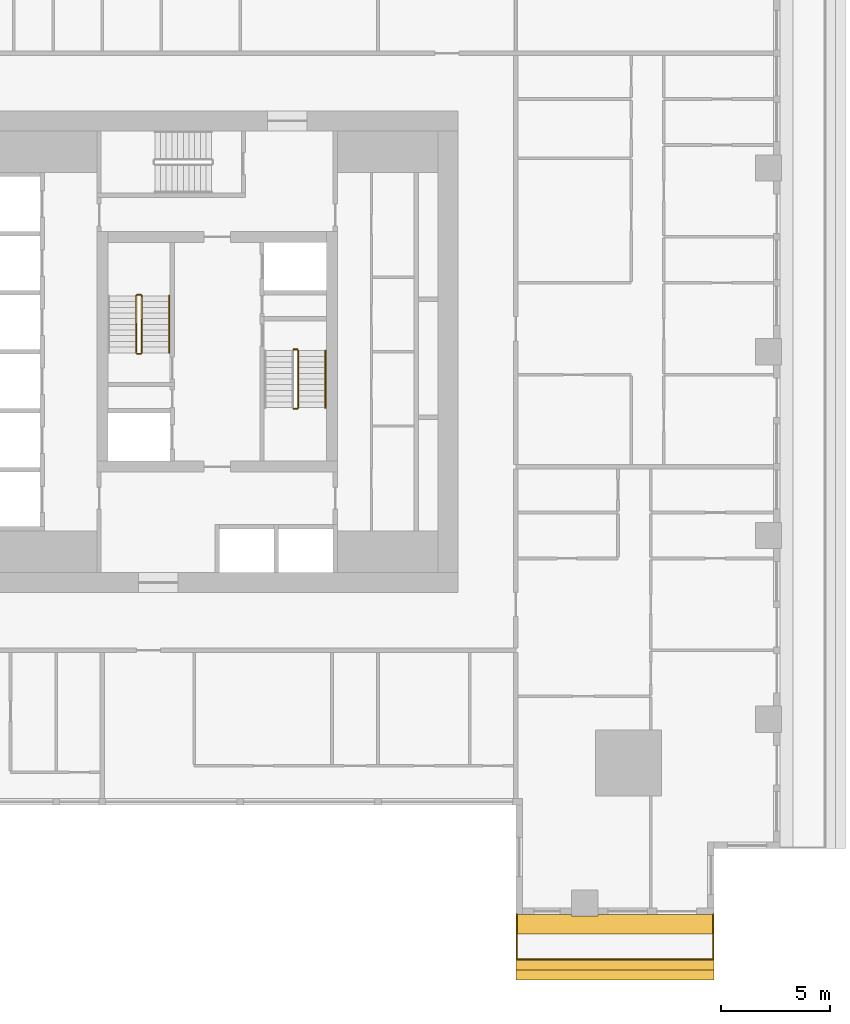
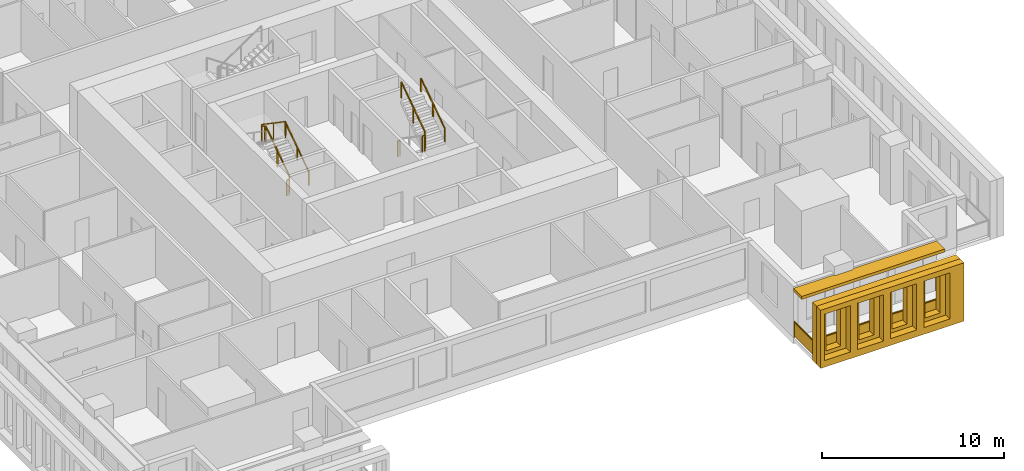
# One storey, part 11 of 14: 10 railings, 3 shading devices.
"""IFC4 building model written with IfcOpenShell, lengths in metres."""

from ifc_helpers import new_model, si_unit, direction, frame, origin, origin_2d, place, context, subcontext, project, spatial, polyline, rectangle, outline, extrude, material, layer, layer_set, type_object, element, save


model = new_model("IFC4")

# Units and contexts
model_context = context("Model", 3, precision=1e-05, world=origin(), true_north=direction((0.0, 1.0)))
body_context = subcontext(model_context, "Body", "Model", "MODEL_VIEW")
ifc_project = project(units=[si_unit("LENGTHUNIT", "METRE"), si_unit("AREAUNIT", "SQUARE_METRE"), si_unit("VOLUMEUNIT", "CUBIC_METRE"), si_unit("PLANEANGLEUNIT", "RADIAN"), si_unit("MASSUNIT", "GRAM", prefix="KILO")], contexts=[model_context])

# Site, building, storey
site_placement = place(None, origin())
site = spatial("IfcSite", under=ifc_project, at=site_placement, CompositionType="ELEMENT")
building_placement = place(site_placement, origin())
building = spatial("IfcBuilding", under=site, at=building_placement, Name="Khepri Terraces", CompositionType="ELEMENT")
storey_placement = place(building_placement, frame((0.0, 0.0, 69.89990234375)))
storey = spatial("IfcBuildingStorey", under=building, at=storey_placement, Name="L16", CompositionType="ELEMENT", Elevation=69.89990234375)

# Railings
ifc_material_1 = material(Name="Stainless steel grade 316", Category="steel")
railing_type_1 = type_object("IfcRailingType", Name="GRD-BAL-1100", PredefinedType="GUARDRAIL", material=ifc_material_1)
railing_1_placement = place(storey_placement, frame((13.699951171875, -25.719970703125, 0.0)))
element("IfcRailing", 1, at=railing_1_placement, inside=storey, type_object=railing_type_1, Name="Balcony guard L16 S", PredefinedType="GUARDRAIL", context=body_context, shape_type="SweptSolid", body=[
    extrude(rectangle(XDim=0.050048828125, YDim=0.06005859375, at=origin_2d()), frame((0.0, 0.0, 1.070068359375), z_axis=(0.0, -1.0, 0.0), x_axis=(1.0, 0.0, 0.0)), (0.0, 0.0, 1.0), 2.050048828125),
    extrude(rectangle(XDim=2.0, YDim=0.011962890625, at=origin_2d()), frame((0.0, -1.02490234375, 0.10009765625), z_axis=(0.0, 0.0, 1.0), x_axis=(0.0, -1.0, 0.0)), (0.0, 0.0, 1.0), 0.93994140625),
    extrude(rectangle(XDim=0.050048828125, YDim=0.06005859375, at=origin_2d()), frame((0.0, -2.050048828125, 1.070068359375), z_axis=(1.0, 0.0, 0.0), x_axis=(0.0, 1.0, 0.0)), (0.0, 0.0, 1.0), 8.969970703125),
    extrude(rectangle(XDim=2.1923828125, YDim=0.011962890625, at=origin_2d()), frame((1.121337890625, -2.050048828125, 0.10009765625), z_axis=(0.0, 0.0, 1.0), x_axis=(1.0, 0.0, 0.0)), (0.0, 0.0, 1.0), 0.93994140625),
    extrude(rectangle(XDim=2.1923828125, YDim=0.011962890625, at=origin_2d()), frame((3.36376953125, -2.050048828125, 0.10009765625), z_axis=(0.0, 0.0, 1.0), x_axis=(1.0, 0.0, 0.0)), (0.0, 0.0, 1.0), 0.93994140625),
    extrude(rectangle(XDim=2.1923828125, YDim=0.011962890625, at=origin_2d()), frame((5.606201171875, -2.050048828125, 0.10009765625), z_axis=(0.0, 0.0, 1.0), x_axis=(1.0, 0.0, 0.0)), (0.0, 0.0, 1.0), 0.93994140625),
    extrude(rectangle(XDim=2.1923828125, YDim=0.011962890625, at=origin_2d()), frame((7.8486328125, -2.050048828125, 0.10009765625), z_axis=(0.0, 0.0, 1.0), x_axis=(1.0, 0.0, 0.0)), (0.0, 0.0, 1.0), 0.93994140625),
    extrude(rectangle(XDim=0.050048828125, YDim=0.06005859375, at=origin_2d()), frame((8.969970703125, -2.050048828125, 1.070068359375), z_axis=(0.0, 1.0, 0.0), x_axis=(-1.0, 0.0, 0.0)), (0.0, 0.0, 1.0), 2.050048828125),
    extrude(rectangle(XDim=2.0, YDim=0.011962890625, at=origin_2d()), frame((8.969970703125, -1.02490234375, 0.10009765625), z_axis=(0.0, 0.0, 1.0), x_axis=(0.0, 1.0, 0.0)), (0.0, 0.0, 1.0), 0.93994140625),
    extrude(rectangle(XDim=0.050048828125, YDim=0.050048828125, at=origin_2d()), origin(), (0.0, 0.0, 1.0), 1.0400390625),
    extrude(rectangle(XDim=0.050048828125, YDim=0.050048828125, at=origin_2d()), frame((0.0, -2.050048828125, 0.0)), (0.0, 0.0, 1.0), 1.0400390625),
    extrude(rectangle(XDim=0.050048828125, YDim=0.050048828125, at=origin_2d()), frame((2.242431640625, -2.050048828125, 0.0)), (0.0, 0.0, 1.0), 1.0400390625),
    extrude(rectangle(XDim=0.050048828125, YDim=0.050048828125, at=origin_2d()), frame((4.48486328125, -2.050048828125, 0.0)), (0.0, 0.0, 1.0), 1.0400390625),
    extrude(rectangle(XDim=0.050048828125, YDim=0.050048828125, at=origin_2d()), frame((6.7275390625, -2.050048828125, 0.0)), (0.0, 0.0, 1.0), 1.0400390625),
    extrude(rectangle(XDim=0.050048828125, YDim=0.050048828125, at=origin_2d()), frame((8.969970703125, -2.050048828125, 0.0)), (0.0, 0.0, 1.0), 1.0400390625),
    extrude(rectangle(XDim=0.050048828125, YDim=0.050048828125, at=origin_2d()), frame((8.969970703125, 0.0, 0.0)), (0.0, 0.0, 1.0), 1.0400390625),
])
ifc_material_2 = material(Name="Stainless steel 316", Category="steel")
railing_type_2 = type_object("IfcRailingType", Name="RL-CORE-GUARD", PredefinedType="GUARDRAIL", material=ifc_material_2)
railing_2_placement = place(storey_placement, frame((-3.449951171875, -0.050048828125, 0.177490234375)))
element("IfcRailing", 2, at=railing_2_placement, inside=storey, type_object=railing_type_2, Name="L16 ST-1 stair guard 1", PredefinedType="GUARDRAIL", context=body_context, shape_type="SweptSolid", body=[
    extrude(rectangle(XDim=0.050048828125, YDim=0.06005859375, at=origin_2d()), frame((0.0, 0.0, 1.070068359375), z_axis=(0.0, 0.826240473404, 0.563317565952), x_axis=(-1.0, 0.0, 0.0)), (0.0, 0.0, 1.0), 3.14697265625),
    extrude(rectangle(XDim=0.050048828125, YDim=0.050048828125, at=origin_2d()), origin(), (0.0, 0.0, 1.0), 1.0400390625),
    extrude(rectangle(XDim=0.050048828125, YDim=0.050048828125, at=origin_2d()), frame((0.0, 1.300048828125, 0.88623046875)), (0.0, 0.0, 1.0), 1.0400390625),
    extrude(rectangle(XDim=0.050048828125, YDim=0.050048828125, at=origin_2d()), frame((0.0, 2.60009765625, 1.772705078125)), (0.0, 0.0, 1.0), 1.0400390625),
])
railing_3_placement = place(storey_placement, frame((-3.5, 2.60009765625, 1.9501953125)))
element("IfcRailing", 3, at=railing_3_placement, inside=storey, type_object=railing_type_2, Name="L16 ST-1 stair guard 2", PredefinedType="GUARDRAIL", context=body_context, shape_type="SweptSolid", body=[
    extrude(rectangle(XDim=0.050048828125, YDim=0.06005859375, at=origin_2d()), frame((0.0, 0.0, 1.070068359375), z_axis=(-1.0, 0.0, 0.0), x_axis=(0.0, -1.0, 0.0)), (0.0, 0.0, 1.0), 0.14990234375),
    extrude(rectangle(XDim=0.050048828125, YDim=0.050048828125, at=origin_2d()), origin(), (0.0, 0.0, 1.0), 1.0400390625),
    extrude(rectangle(XDim=0.050048828125, YDim=0.050048828125, at=origin_2d()), frame((-0.14990234375, 0.0, 0.0)), (0.0, 0.0, 1.0), 1.0400390625),
])
railing_4_placement = place(storey_placement, frame((-3.699951171875, 2.550048828125, 2.12744140625)))
element("IfcRailing", 4, at=railing_4_placement, inside=storey, type_object=railing_type_2, Name="L16 ST-1 stair guard 3", PredefinedType="GUARDRAIL", context=body_context, shape_type="SweptSolid", body=[
    extrude(rectangle(XDim=0.050048828125, YDim=0.06005859375, at=origin_2d()), frame((0.0, 0.0, 1.070068359375), z_axis=(0.0, -0.826240473404, 0.563317565952), x_axis=(1.0, 0.0, 0.0)), (0.0, 0.0, 1.0), 3.14697265625),
    extrude(rectangle(XDim=0.050048828125, YDim=0.050048828125, at=origin_2d()), origin(), (0.0, 0.0, 1.0), 1.0400390625),
    extrude(rectangle(XDim=0.050048828125, YDim=0.050048828125, at=origin_2d()), frame((0.0, -1.300048828125, 0.88623046875)), (0.0, 0.0, 1.0), 1.0400390625),
    extrude(rectangle(XDim=0.050048828125, YDim=0.050048828125, at=origin_2d()), frame((0.0, -2.60009765625, 1.772705078125)), (0.0, 0.0, 1.0), 1.0400390625),
])
railing_5_placement = place(storey_placement, frame((-3.5, -0.10009765625, 0.0)))
element("IfcRailing", 5, at=railing_5_placement, inside=storey, type_object=railing_type_2, Name="L16 ST-1 stair guard 4", PredefinedType="GUARDRAIL", context=body_context, shape_type="SweptSolid", body=[
    extrude(rectangle(XDim=0.050048828125, YDim=0.06005859375, at=origin_2d()), frame((0.0, 0.0, 1.070068359375), z_axis=(-1.0, 0.0, 0.0), x_axis=(0.0, -1.0, 0.0)), (0.0, 0.0, 1.0), 0.14990234375),
    extrude(rectangle(XDim=0.050048828125, YDim=0.050048828125, at=origin_2d()), origin(), (0.0, 0.0, 1.0), 1.0400390625),
    extrude(rectangle(XDim=0.050048828125, YDim=0.050048828125, at=origin_2d()), frame((-0.14990234375, 0.0, 0.0)), (0.0, 0.0, 1.0), 1.0400390625),
])
railing_6_placement = place(storey_placement, frame((3.5, -2.60009765625, 1.9501953125)))
element("IfcRailing", 6, at=railing_6_placement, inside=storey, type_object=railing_type_2, Name="L16 ST-2 stair guard 2", PredefinedType="GUARDRAIL", context=body_context, shape_type="SweptSolid", body=[
    extrude(rectangle(XDim=0.050048828125, YDim=0.06005859375, at=origin_2d()), frame((0.0, 0.0, 1.070068359375), z_axis=(1.0, 0.0, 0.0), x_axis=(0.0, 1.0, 0.0)), (0.0, 0.0, 1.0), 0.14990234375),
    extrude(rectangle(XDim=0.050048828125, YDim=0.050048828125, at=origin_2d()), origin(), (0.0, 0.0, 1.0), 1.0400390625),
    extrude(rectangle(XDim=0.050048828125, YDim=0.050048828125, at=origin_2d()), frame((0.14990234375, 0.0, 0.0)), (0.0, 0.0, 1.0), 1.0400390625),
])
railing_7_placement = place(storey_placement, frame((3.699951171875, -2.550048828125, 2.12744140625)))
element("IfcRailing", 7, at=railing_7_placement, inside=storey, type_object=railing_type_2, Name="L16 ST-2 stair guard 3", PredefinedType="GUARDRAIL", context=body_context, shape_type="SweptSolid", body=[
    extrude(rectangle(XDim=0.050048828125, YDim=0.06005859375, at=origin_2d()), frame((0.0, 0.0, 1.070068359375), z_axis=(0.0, 0.826240473404, 0.563317565952), x_axis=(-1.0, 0.0, 0.0)), (0.0, 0.0, 1.0), 3.14697265625),
    extrude(rectangle(XDim=0.050048828125, YDim=0.050048828125, at=origin_2d()), origin(), (0.0, 0.0, 1.0), 1.0400390625),
    extrude(rectangle(XDim=0.050048828125, YDim=0.050048828125, at=origin_2d()), frame((0.0, 1.300048828125, 0.88623046875)), (0.0, 0.0, 1.0), 1.0400390625),
    extrude(rectangle(XDim=0.050048828125, YDim=0.050048828125, at=origin_2d()), frame((0.0, 2.60009765625, 1.772705078125)), (0.0, 0.0, 1.0), 1.0400390625),
])
railing_8_placement = place(storey_placement, frame((3.5, 0.10009765625, 0.0)))
element("IfcRailing", 8, at=railing_8_placement, inside=storey, type_object=railing_type_2, Name="L16 ST-2 stair guard 4", PredefinedType="GUARDRAIL", context=body_context, shape_type="SweptSolid", body=[
    extrude(rectangle(XDim=0.050048828125, YDim=0.06005859375, at=origin_2d()), frame((0.0, 0.0, 1.070068359375), z_axis=(1.0, 0.0, 0.0), x_axis=(0.0, 1.0, 0.0)), (0.0, 0.0, 1.0), 0.14990234375),
    extrude(rectangle(XDim=0.050048828125, YDim=0.050048828125, at=origin_2d()), origin(), (0.0, 0.0, 1.0), 1.0400390625),
    extrude(rectangle(XDim=0.050048828125, YDim=0.050048828125, at=origin_2d()), frame((0.14990234375, 0.0, 0.0)), (0.0, 0.0, 1.0), 1.0400390625),
])
railing_type_3 = type_object("IfcRailingType", Name="RL-CORE-HANDRAIL", PredefinedType="HANDRAIL", material=ifc_material_2)
for number, where, name in (
    (9, (-2.199951171875, -0.050048828125, 0.177490234375), "L16 ST-1 stair handrail 1"),
    (10, (4.949951171875, -2.550048828125, 2.12744140625), "L16 ST-2 stair handrail 2"),
):
    element("IfcRailing", number, at=place(storey_placement, frame(where)), inside=storey, type_object=railing_type_3, Name=name, PredefinedType="HANDRAIL", context=body_context, shape_type="SweptSolid", body=[
        extrude(rectangle(XDim=0.050048828125, YDim=0.050048828125, at=origin_2d()), frame((0.0, 0.0, 0.875), z_axis=(0.0, 0.826240473404, 0.563317565952), x_axis=(-1.0, 0.0, 0.0)), (0.0, 0.0, 1.0), 3.14697265625),
        extrude(rectangle(XDim=0.050048828125, YDim=0.050048828125, at=origin_2d()), origin(), (0.0, 0.0, 1.0), 0.849853515625),
        extrude(rectangle(XDim=0.050048828125, YDim=0.050048828125, at=origin_2d()), frame((0.0, 1.300048828125, 0.88623046875)), (0.0, 0.0, 1.0), 0.849853515625),
        extrude(rectangle(XDim=0.050048828125, YDim=0.050048828125, at=origin_2d()), frame((0.0, 2.60009765625, 1.772705078125)), (0.0, 0.0, 1.0), 0.849853515625),
    ])

# Shading devices
ifc_material_3 = material(Name="Precast concrete C50/60 warm stone", Category="masonry")
shading_device_type_1 = type_object("IfcShadingDeviceType", Name="SCR-CELL-INNER-450", PredefinedType="USERDEFINED", material=ifc_material_3)
shading_device_1_placement = place(storey_placement, frame((13.64990234375, -27.820068359375, -0.25), z_axis=(0.0, -1.0, 0.0), x_axis=(1.0, 0.0, 0.0)))
element("IfcShadingDevice", 11, at=shading_device_1_placement, inside=storey, type_object=shading_device_type_1, Name="Cell screen L16 S in", ObjectType="SCREEN", PredefinedType="USERDEFINED", context=body_context, shape_type="SweptSolid", body=[
    extrude(outline(polyline([(0.0, 0.0), (9.070068359375, 0.0), (9.070068359375, 3.89990234375), (0.0, 3.89990234375), (0.0, 0.0)]), holes=[polyline([(0.577392578125, 0.699951171875), (1.5224609375, 0.699951171875), (1.5224609375, 3.300048828125), (0.577392578125, 3.300048828125), (0.577392578125, 0.699951171875)]), polyline([(2.677490234375, 0.699951171875), (3.62255859375, 0.699951171875), (3.62255859375, 3.300048828125), (2.677490234375, 3.300048828125), (2.677490234375, 0.699951171875)]), polyline([(4.777587890625, 0.699951171875), (5.722412109375, 0.699951171875), (5.722412109375, 3.300048828125), (4.777587890625, 3.300048828125), (4.777587890625, 0.699951171875)]), polyline([(6.87744140625, 0.699951171875), (7.822509765625, 0.699951171875), (7.822509765625, 3.300048828125), (6.87744140625, 3.300048828125), (6.87744140625, 0.699951171875)])]), origin(), (0.0, 0.0, 1.0), 0.449951171875),
])
shading_device_type_2 = type_object("IfcShadingDeviceType", Name="SCR-CELL-OUTER-450", PredefinedType="USERDEFINED", material=ifc_material_3)
shading_device_2_placement = place(storey_placement, frame((13.64990234375, -28.27001953125, -0.25), z_axis=(0.0, -1.0, 0.0), x_axis=(1.0, 0.0, 0.0)))
element("IfcShadingDevice", 12, at=shading_device_2_placement, inside=storey, type_object=shading_device_type_2, Name="Cell screen L16 S out", ObjectType="SCREEN", PredefinedType="USERDEFINED", context=body_context, shape_type="SweptSolid", body=[
    extrude(outline(polyline([(0.0, 0.0), (9.070068359375, 0.0), (9.070068359375, 3.89990234375), (0.0, 3.89990234375), (0.0, 0.0)]), holes=[polyline([(0.2275390625, 0.449951171875), (1.87255859375, 0.449951171875), (1.87255859375, 3.550048828125), (0.2275390625, 3.550048828125), (0.2275390625, 0.449951171875)]), polyline([(2.327392578125, 0.449951171875), (3.972412109375, 0.449951171875), (3.972412109375, 3.550048828125), (2.327392578125, 3.550048828125), (2.327392578125, 0.449951171875)]), polyline([(4.427490234375, 0.449951171875), (6.072509765625, 0.449951171875), (6.072509765625, 3.550048828125), (4.427490234375, 3.550048828125), (4.427490234375, 0.449951171875)]), polyline([(6.527587890625, 0.449951171875), (8.172607421875, 0.449951171875), (8.172607421875, 3.550048828125), (6.527587890625, 3.550048828125), (6.527587890625, 0.449951171875)])]), origin(), (0.0, 0.0, 1.0), 0.449951171875),
])
ifc_layer = layer(ifc_material_3, 0.199951171875, Name="Precast concrete C50/60 warm stone", Category="masonry")
ifc_layer_set = layer_set([ifc_layer], Name="Precast concrete C50/60 warm stone")
shading_device_type_3 = type_object("IfcShadingDeviceType", Name="SSH-BAND-STONE-200", PredefinedType="USERDEFINED", material=ifc_layer_set)
shading_device_3_placement = place(storey_placement, frame((0.0, 0.0, 3.10009765625)))
element("IfcShadingDevice", 13, at=shading_device_3_placement, inside=storey, type_object=shading_device_type_3, Name="Sunshade band L16 S", ObjectType="SUNSHADE", PredefinedType="USERDEFINED", context=body_context, shape_type="SweptSolid", body=[
    extrude(outline(polyline([(16.199951171875, -25.719970703125), (13.64990234375, -25.719970703125), (13.64990234375, -26.6201171875), (22.719970703125, -26.6201171875), (22.719970703125, -25.719970703125), (17.39990234375, -25.719970703125), (17.39990234375, -25.800048828125), (16.199951171875, -25.800048828125), (16.199951171875, -25.719970703125)])), origin(), (0.0, 0.0, 1.0), 0.199951171875),
])

save(model, "model.ifc")
